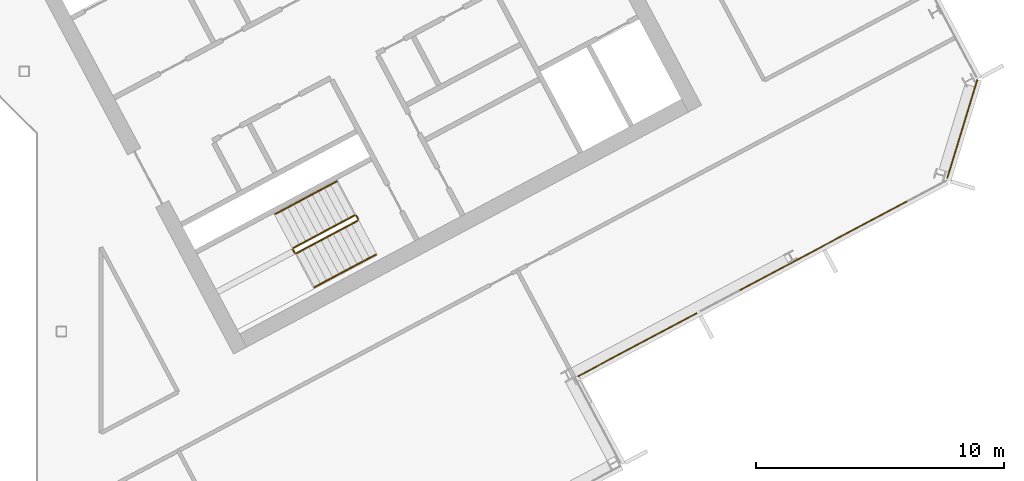
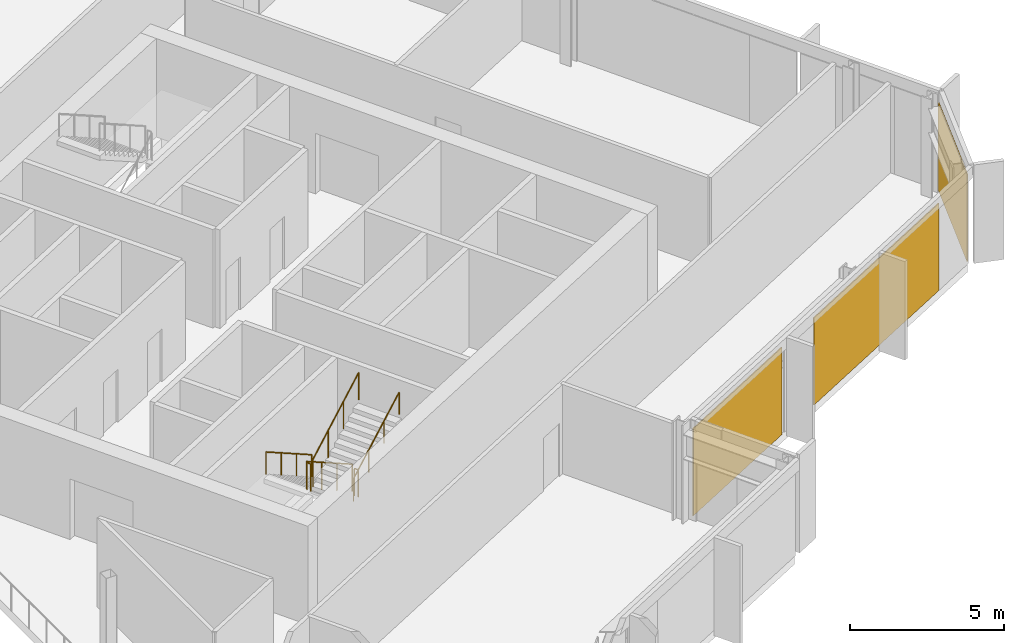
# One storey, part 25 of 27: 6 railings, 3 coverings, 2 elements without a shape of their own.
"""IFC4 building model written with IfcOpenShell, lengths in metres."""

from ifc_helpers import new_model, si_unit, direction, frame, origin, origin_2d, place, context, subcontext, project, spatial, polyline, rectangle, outline, extrude, material, layer, layer_set, type_object, element, aggregate, save


model = new_model("IFC4")

# Units and contexts
model_context = context("Model", 3, precision=1e-05, world=origin(), true_north=direction((0.0, 1.0)))
body_context = subcontext(model_context, "Body", "Model", "MODEL_VIEW")
ifc_project = project(units=[si_unit("LENGTHUNIT", "METRE"), si_unit("AREAUNIT", "SQUARE_METRE"), si_unit("VOLUMEUNIT", "CUBIC_METRE"), si_unit("PLANEANGLEUNIT", "RADIAN"), si_unit("MASSUNIT", "GRAM", prefix="KILO")], contexts=[model_context])

# Site, building, storey
site_placement = place(None, origin())
site = spatial("IfcSite", under=ifc_project, at=site_placement, CompositionType="ELEMENT")
building_placement = place(site_placement, origin())
building = spatial("IfcBuilding", under=site, at=building_placement, Name="Cormorant Relay Tower", CompositionType="ELEMENT")
storey_placement = place(building_placement, frame((0.0, 0.0, 216.89990234375)))
storey = spatial("IfcBuildingStorey", under=building, at=storey_placement, Name="L47", CompositionType="ELEMENT", Elevation=216.89990234375)

# Curtain wall, coverings
ifc_material_1 = material(Name="Aluminium 6063-T6 anodised bronze", Category="aluminium")
ifc_layer_1 = layer(ifc_material_1, 0.199951171875)
ifc_layer_set_1 = layer_set([ifc_layer_1], Name="CW1 unitised bronze curtain wall with vertical fins")
curtain_wall_type = type_object("IfcCurtainWallType", Name="CW1 unitised bronze curtain wall with vertical fins", PredefinedType="NOTDEFINED", material=ifc_layer_set_1)
curtain_wall_1_placement = place(storey_placement, origin())
curtain_wall_1 = element("IfcCurtainWall", 1, at=curtain_wall_1_placement, inside=storey, type_object=curtain_wall_type, Name="CW1 curtain wall 4", PredefinedType="NOTDEFINED")
ifc_material_2 = material(Name="Pale bronze anodised aluminium insulated panel", Category="aluminium")
ifc_layer_2 = layer(ifc_material_2, 0.0400390625)
ifc_layer_set_2 = layer_set([ifc_layer_2], Name="CW1 pale bronze insulated panel 40")
covering_type = type_object("IfcCoveringType", Name="CW1 pale bronze insulated panel 40", PredefinedType="CLADDING", material=ifc_layer_set_2)
covering_1_placement = place(storey_placement, frame((35.247802734375, -0.534912109375, 0.0), z_axis=(0.0, 0.0, 1.0), x_axis=(0.882947592859, 0.469471562786, 0.0)))
covering_1 = element("IfcCovering", 2, at=covering_1_placement, type_object=covering_type, Name="CW1 panel S00", PredefinedType="CLADDING", context=body_context, shape_type="SweptSolid", body=[
    extrude(rectangle(XDim=5.441650390625, YDim=0.0400390625, at=origin_2d()), origin(), (0.0, 0.0, 1.0), 3.449951171875),
])
covering_2_placement = place(storey_placement, frame((42.752685546875, 3.455810546875, 0.0), z_axis=(0.0, 0.0, 1.0), x_axis=(0.882947592859, 0.469471562786, 0.0)))
covering_2 = element("IfcCovering", 3, at=covering_2_placement, type_object=covering_type, Name="CW1 panel S02", PredefinedType="CLADDING", context=body_context, shape_type="SweptSolid", body=[
    extrude(rectangle(XDim=7.658203125, YDim=0.0400390625, at=origin_2d()), origin(), (0.0, 0.0, 1.0), 3.449951171875),
])
aggregate(curtain_wall_1, [covering_1, covering_2])

# Curtain wall, covering
curtain_wall_2_placement = place(storey_placement, origin())
curtain_wall_2 = element("IfcCurtainWall", 4, at=curtain_wall_2_placement, inside=storey, type_object=curtain_wall_type, Name="CW1 curtain wall 5", PredefinedType="NOTDEFINED")
covering_3_placement = place(storey_placement, frame((48.364013671875, 8.1748046875, 0.0), z_axis=(0.0, 0.0, 1.0), x_axis=(0.292371704723, 0.956304755963, 0.0)))
covering_3 = element("IfcCovering", 5, at=covering_3_placement, type_object=covering_type, Name="CW1 panel S00", PredefinedType="CLADDING", context=body_context, shape_type="SweptSolid", body=[
    extrude(rectangle(XDim=4.16748046875, YDim=0.0400390625, at=origin_2d()), origin(), (0.0, 0.0, 1.0), 3.449951171875),
])
aggregate(curtain_wall_2, [covering_3])

# Railings
ifc_material_3 = material(Name="Steel ASTM A572 Grade 50 (Fy 345 MPa)", Category="steel")
railing_type_1 = type_object("IfcRailingType", Name="Stair guard 1100", PredefinedType="GUARDRAIL", material=ifc_material_3)
railing_1_placement = place(storey_placement, frame((23.83837890625, 4.6904296875, 0.177490234375)))
element("IfcRailing", 6, at=railing_1_placement, inside=storey, type_object=railing_type_1, Name="L47 B1 stair guard 1", PredefinedType="GUARDRAIL", context=body_context, shape_type="SweptSolid", body=[
    extrude(outline(polyline([(0.022216796875, 0.00927734375), (0.00927734375, 0.022216796875), (-0.00927734375, 0.022216796875), (-0.022216796875, 0.00927734375), (-0.022216796875, -0.00927734375), (-0.00927734375, -0.022216796875), (0.00927734375, -0.022216796875), (0.022216796875, -0.00927734375), (0.022216796875, 0.00927734375)])), frame((0.0, 0.0, 1.076171875), z_axis=(-0.746033882577, -0.396627473466, 0.534901947407), x_axis=(0.469429322983, -0.882970050864, 0.0)), (0.0, 0.0, 1.0), 3.31396484375),
    extrude(outline(polyline([(0.019287109375, 0.008056640625), (0.008056640625, 0.019287109375), (-0.008056640625, 0.019287109375), (-0.019287109375, 0.008056640625), (-0.019287109375, -0.008056640625), (-0.008056640625, -0.019287109375), (0.008056640625, -0.019287109375), (0.019287109375, -0.008056640625), (0.019287109375, 0.008056640625)])), origin(), (0.0, 0.0, 1.0), 1.052001953125),
    extrude(outline(polyline([(0.019287109375, 0.008056640625), (0.008056640625, 0.019287109375), (-0.008056640625, 0.019287109375), (-0.019287109375, 0.008056640625), (-0.019287109375, -0.008056640625), (-0.008056640625, -0.019287109375), (0.008056640625, -0.019287109375), (0.019287109375, -0.008056640625), (0.019287109375, 0.008056640625)])), frame((-0.82421875, -0.438232421875, 0.5908203125)), (0.0, 0.0, 1.0), 1.052001953125),
    extrude(outline(polyline([(0.019287109375, 0.008056640625), (0.008056640625, 0.019287109375), (-0.008056640625, 0.019287109375), (-0.019287109375, 0.008056640625), (-0.019287109375, -0.008056640625), (-0.008056640625, -0.019287109375), (0.008056640625, -0.019287109375), (0.019287109375, -0.008056640625), (0.019287109375, 0.008056640625)])), frame((-1.648193359375, -0.876220703125, 1.181884765625)), (0.0, 0.0, 1.0), 1.052001953125),
    extrude(outline(polyline([(0.019287109375, 0.008056640625), (0.008056640625, 0.019287109375), (-0.008056640625, 0.019287109375), (-0.019287109375, 0.008056640625), (-0.019287109375, -0.008056640625), (-0.008056640625, -0.019287109375), (0.008056640625, -0.019287109375), (0.019287109375, -0.008056640625), (0.019287109375, 0.008056640625)])), frame((-2.472412109375, -1.314453125, 1.772705078125)), (0.0, 0.0, 1.0), 1.052001953125),
])
railing_2_placement = place(storey_placement, frame((21.345458984375, 3.308349609375, 1.9501953125)))
element("IfcRailing", 7, at=railing_2_placement, inside=storey, type_object=railing_type_1, Name="L47 B1 stair guard 2", PredefinedType="GUARDRAIL", context=body_context, shape_type="SweptSolid", body=[
    extrude(outline(polyline([(0.022216796875, 0.00927734375), (0.00927734375, 0.022216796875), (-0.00927734375, 0.022216796875), (-0.022216796875, 0.00927734375), (-0.022216796875, -0.00927734375), (-0.00927734375, -0.022216796875), (0.00927734375, -0.022216796875), (0.022216796875, -0.00927734375), (0.022216796875, 0.00927734375)])), frame((0.0, 0.0, 1.076171875), z_axis=(0.46856034887, -0.8834314911, 0.0), x_axis=(0.8834314911, 0.46856034887, 0.0)), (0.0, 0.0, 1.0), 0.150146484375),
    extrude(outline(polyline([(0.019287109375, 0.008056640625), (0.008056640625, 0.019287109375), (-0.008056640625, 0.019287109375), (-0.019287109375, 0.008056640625), (-0.019287109375, -0.008056640625), (-0.008056640625, -0.019287109375), (0.008056640625, -0.019287109375), (0.019287109375, -0.008056640625), (0.019287109375, 0.008056640625)])), origin(), (0.0, 0.0, 1.0), 1.052001953125),
    extrude(outline(polyline([(0.019287109375, 0.008056640625), (0.008056640625, 0.019287109375), (-0.008056640625, 0.019287109375), (-0.019287109375, 0.008056640625), (-0.019287109375, -0.008056640625), (-0.008056640625, -0.019287109375), (0.008056640625, -0.019287109375), (0.019287109375, -0.008056640625), (0.019287109375, 0.008056640625)])), frame((0.0703125, -0.132568359375, 0.0)), (0.0, 0.0, 1.0), 1.052001953125),
])
railing_3_placement = place(storey_placement, frame((21.4833984375, 3.1552734375, 2.12744140625)))
element("IfcRailing", 8, at=railing_3_placement, inside=storey, type_object=railing_type_1, Name="L47 B1 stair guard 3", PredefinedType="GUARDRAIL", context=body_context, shape_type="SweptSolid", body=[
    extrude(outline(polyline([(0.022216796875, 0.00927734375), (0.00927734375, 0.022216796875), (-0.00927734375, 0.022216796875), (-0.022216796875, 0.00927734375), (-0.022216796875, -0.00927734375), (-0.00927734375, -0.022216796875), (0.00927734375, -0.022216796875), (0.022216796875, -0.00927734375), (0.022216796875, 0.00927734375)])), frame((0.0, 0.0, 1.076171875), z_axis=(0.746001213114, 0.396649272309, 0.534931345884), x_axis=(-0.469465464807, 0.882950835185, 0.0)), (0.0, 0.0, 1.0), 3.31396484375),
    extrude(outline(polyline([(0.019287109375, 0.008056640625), (0.008056640625, 0.019287109375), (-0.008056640625, 0.019287109375), (-0.019287109375, 0.008056640625), (-0.019287109375, -0.008056640625), (-0.008056640625, -0.019287109375), (0.008056640625, -0.019287109375), (0.019287109375, -0.008056640625), (0.019287109375, 0.008056640625)])), origin(), (0.0, 0.0, 1.0), 1.052001953125),
    extrude(outline(polyline([(0.019287109375, 0.008056640625), (0.008056640625, 0.019287109375), (-0.008056640625, 0.019287109375), (-0.019287109375, 0.008056640625), (-0.019287109375, -0.008056640625), (-0.008056640625, -0.019287109375), (0.008056640625, -0.019287109375), (0.019287109375, -0.008056640625), (0.019287109375, 0.008056640625)])), frame((0.823974609375, 0.438232421875, 0.5908203125)), (0.0, 0.0, 1.0), 1.052001953125),
    extrude(outline(polyline([(0.019287109375, 0.008056640625), (0.008056640625, 0.019287109375), (-0.008056640625, 0.019287109375), (-0.019287109375, 0.008056640625), (-0.019287109375, -0.008056640625), (-0.008056640625, -0.019287109375), (0.008056640625, -0.019287109375), (0.019287109375, -0.008056640625), (0.019287109375, 0.008056640625)])), frame((1.648193359375, 0.876220703125, 1.181884765625)), (0.0, 0.0, 1.0), 1.052001953125),
    extrude(outline(polyline([(0.019287109375, 0.008056640625), (0.008056640625, 0.019287109375), (-0.008056640625, 0.019287109375), (-0.019287109375, 0.008056640625), (-0.019287109375, -0.008056640625), (-0.008056640625, -0.019287109375), (0.008056640625, -0.019287109375), (0.019287109375, -0.008056640625), (0.019287109375, 0.008056640625)])), frame((2.47216796875, 1.314453125, 1.772705078125)), (0.0, 0.0, 1.0), 1.052001953125),
])
railing_4_placement = place(storey_placement, frame((23.906005859375, 4.669677734375, 0.0)))
element("IfcRailing", 9, at=railing_4_placement, inside=storey, type_object=railing_type_1, Name="L47 B1 stair guard 4", PredefinedType="GUARDRAIL", context=body_context, shape_type="SweptSolid", body=[
    extrude(outline(polyline([(0.022216796875, 0.00927734375), (0.00927734375, 0.022216796875), (-0.00927734375, 0.022216796875), (-0.022216796875, 0.00927734375), (-0.022216796875, -0.00927734375), (-0.00927734375, -0.022216796875), (0.00927734375, -0.022216796875), (0.022216796875, -0.00927734375), (0.022216796875, 0.00927734375)])), frame((0.0, 0.0, 1.076171875), z_axis=(0.469234640946, -0.883073525669, 0.0), x_axis=(0.883073525669, 0.469234640946, 0.0)), (0.0, 0.0, 1.0), 0.14990234375),
    extrude(outline(polyline([(0.019287109375, 0.008056640625), (0.008056640625, 0.019287109375), (-0.008056640625, 0.019287109375), (-0.019287109375, 0.008056640625), (-0.019287109375, -0.008056640625), (-0.008056640625, -0.019287109375), (0.008056640625, -0.019287109375), (0.019287109375, -0.008056640625), (0.019287109375, 0.008056640625)])), origin(), (0.0, 0.0, 1.0), 1.052001953125),
    extrude(outline(polyline([(0.019287109375, 0.008056640625), (0.008056640625, 0.019287109375), (-0.008056640625, 0.019287109375), (-0.019287109375, 0.008056640625), (-0.019287109375, -0.008056640625), (-0.008056640625, -0.019287109375), (0.008056640625, -0.019287109375), (0.019287109375, -0.008056640625), (0.019287109375, 0.008056640625)])), frame((0.0703125, -0.13232421875, 0.0)), (0.0, 0.0, 1.0), 1.052001953125),
])
ifc_material_4 = material(Name="Steel ASTM A572 Grade 50 (Fy 345 MPa)", Category="steel")
railing_type_2 = type_object("IfcRailingType", Name="Stair handrail 900", PredefinedType="HANDRAIL", material=ifc_material_4)
railing_5_placement = place(storey_placement, frame((23.110595703125, 6.05908203125, 0.177490234375)))
element("IfcRailing", 10, at=railing_5_placement, inside=storey, type_object=railing_type_2, Name="L47 B1 stair handrail 1", PredefinedType="HANDRAIL", context=body_context, shape_type="SweptSolid", body=[
    extrude(outline(polyline([(0.022216796875, 0.00927734375), (0.00927734375, 0.022216796875), (-0.00927734375, 0.022216796875), (-0.022216796875, 0.00927734375), (-0.022216796875, -0.00927734375), (-0.00927734375, -0.022216796875), (0.00927734375, -0.022216796875), (0.022216796875, -0.00927734375), (0.022216796875, 0.00927734375)])), frame((0.0, 0.0, 0.8759765625), z_axis=(-0.745979412481, -0.396711350603, 0.534915713414), x_axis=(0.469533439143, -0.882914689835, 0.0)), (0.0, 0.0, 1.0), 3.31396484375),
    extrude(outline(polyline([(0.019287109375, 0.008056640625), (0.008056640625, 0.019287109375), (-0.008056640625, 0.019287109375), (-0.019287109375, 0.008056640625), (-0.019287109375, -0.008056640625), (-0.008056640625, -0.019287109375), (0.008056640625, -0.019287109375), (0.019287109375, -0.008056640625), (0.019287109375, 0.008056640625)])), origin(), (0.0, 0.0, 1.0), 0.851806640625),
    extrude(outline(polyline([(0.019287109375, 0.008056640625), (0.008056640625, 0.019287109375), (-0.008056640625, 0.019287109375), (-0.019287109375, 0.008056640625), (-0.019287109375, -0.008056640625), (-0.008056640625, -0.019287109375), (0.008056640625, -0.019287109375), (0.019287109375, -0.008056640625), (0.019287109375, 0.008056640625)])), frame((-0.823974609375, -0.438232421875, 0.5908203125)), (0.0, 0.0, 1.0), 0.851806640625),
    extrude(outline(polyline([(0.019287109375, 0.008056640625), (0.008056640625, 0.019287109375), (-0.008056640625, 0.019287109375), (-0.019287109375, 0.008056640625), (-0.019287109375, -0.008056640625), (-0.008056640625, -0.019287109375), (0.008056640625, -0.019287109375), (0.019287109375, -0.008056640625), (0.019287109375, 0.008056640625)])), frame((-1.648193359375, -0.87646484375, 1.181884765625)), (0.0, 0.0, 1.0), 0.851806640625),
    extrude(outline(polyline([(0.019287109375, 0.008056640625), (0.008056640625, 0.019287109375), (-0.008056640625, 0.019287109375), (-0.019287109375, 0.008056640625), (-0.019287109375, -0.008056640625), (-0.008056640625, -0.019287109375), (0.008056640625, -0.019287109375), (0.019287109375, -0.008056640625), (0.019287109375, 0.008056640625)])), frame((-2.47216796875, -1.314697265625, 1.772705078125)), (0.0, 0.0, 1.0), 0.851806640625),
])
railing_6_placement = place(storey_placement, frame((22.211181640625, 1.78662109375, 2.12744140625)))
element("IfcRailing", 11, at=railing_6_placement, inside=storey, type_object=railing_type_2, Name="L47 B1 stair handrail 2", PredefinedType="HANDRAIL", context=body_context, shape_type="SweptSolid", body=[
    extrude(outline(polyline([(0.022216796875, 0.00927734375), (0.00927734375, 0.022216796875), (-0.00927734375, 0.022216796875), (-0.022216796875, 0.00927734375), (-0.022216796875, -0.00927734375), (-0.00927734375, -0.022216796875), (0.00927734375, -0.022216796875), (0.022216796875, -0.00927734375), (0.022216796875, 0.00927734375)])), frame((0.0, 0.0, 0.8759765625), z_axis=(0.746001213114, 0.396649272309, 0.534931345884), x_axis=(-0.469465464807, 0.882950835185, 0.0)), (0.0, 0.0, 1.0), 3.31396484375),
    extrude(outline(polyline([(0.019287109375, 0.008056640625), (0.008056640625, 0.019287109375), (-0.008056640625, 0.019287109375), (-0.019287109375, 0.008056640625), (-0.019287109375, -0.008056640625), (-0.008056640625, -0.019287109375), (0.008056640625, -0.019287109375), (0.019287109375, -0.008056640625), (0.019287109375, 0.008056640625)])), origin(), (0.0, 0.0, 1.0), 0.851806640625),
    extrude(outline(polyline([(0.019287109375, 0.008056640625), (0.008056640625, 0.019287109375), (-0.008056640625, 0.019287109375), (-0.019287109375, 0.008056640625), (-0.019287109375, -0.008056640625), (-0.008056640625, -0.019287109375), (0.008056640625, -0.019287109375), (0.019287109375, -0.008056640625), (0.019287109375, 0.008056640625)])), frame((0.823974609375, 0.438232421875, 0.5908203125)), (0.0, 0.0, 1.0), 0.851806640625),
    extrude(outline(polyline([(0.019287109375, 0.008056640625), (0.008056640625, 0.019287109375), (-0.008056640625, 0.019287109375), (-0.019287109375, 0.008056640625), (-0.019287109375, -0.008056640625), (-0.008056640625, -0.019287109375), (0.008056640625, -0.019287109375), (0.019287109375, -0.008056640625), (0.019287109375, 0.008056640625)])), frame((1.648193359375, 0.876220703125, 1.181884765625)), (0.0, 0.0, 1.0), 0.851806640625),
    extrude(outline(polyline([(0.019287109375, 0.008056640625), (0.008056640625, 0.019287109375), (-0.008056640625, 0.019287109375), (-0.019287109375, 0.008056640625), (-0.019287109375, -0.008056640625), (-0.008056640625, -0.019287109375), (0.008056640625, -0.019287109375), (0.019287109375, -0.008056640625), (0.019287109375, 0.008056640625)])), frame((2.47216796875, 1.314453125, 1.772705078125)), (0.0, 0.0, 1.0), 0.851806640625),
])

save(model, "model.ifc")
